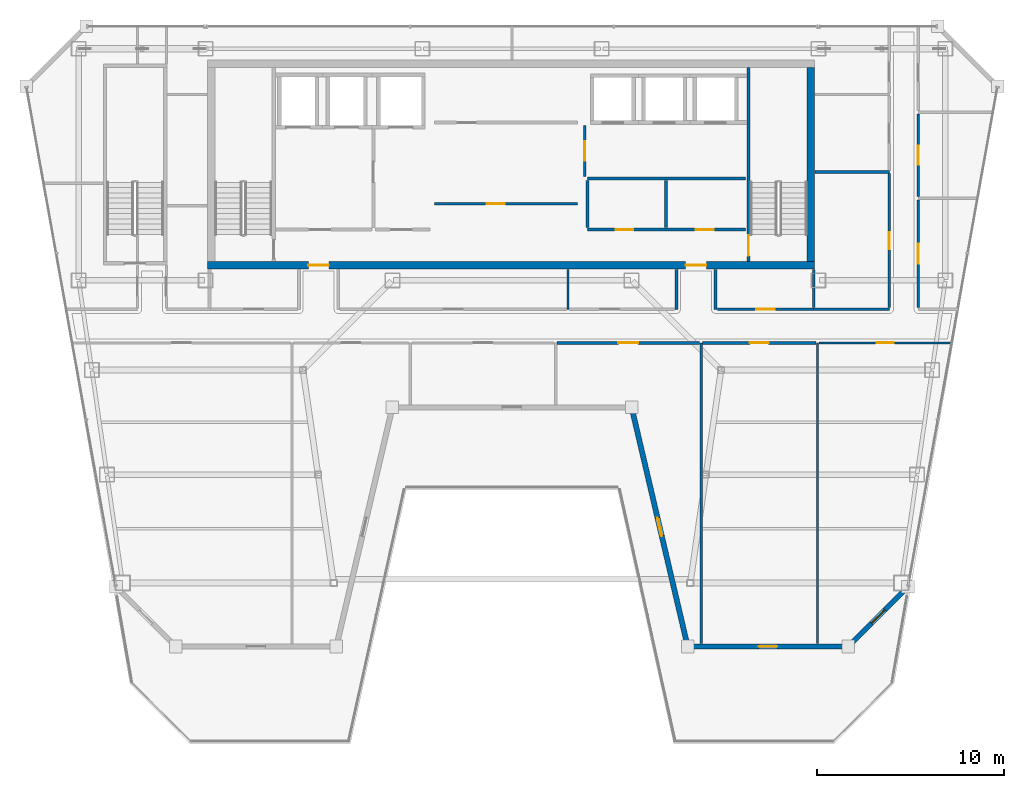
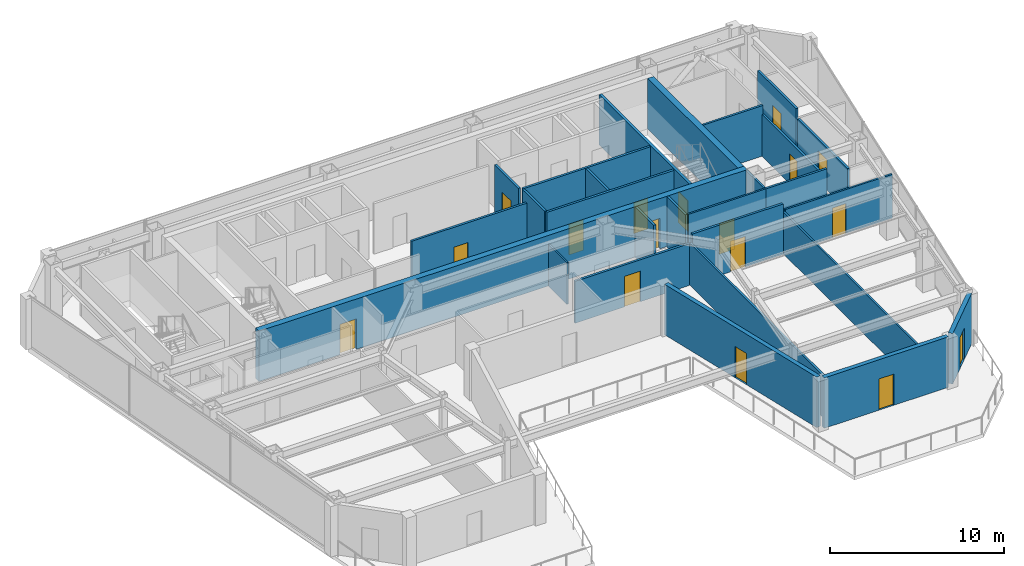
# One storey, part 21 of 28: 27 walls, 17 doors, 17 openings.
"""IFC4 building model written with IfcOpenShell, lengths in metres."""

from ifc_helpers import new_model, si_unit, direction, frame, frame_2d, origin, place, context, subcontext, project, spatial, rectangle, extrude, material, layer, layer_set, type_object, element, fill, save


model = new_model("IFC4")

# Units and contexts
model_context = context("Model", 3, precision=1e-05, world=origin(), true_north=direction((0.0, 1.0)))
body_context = subcontext(model_context, "Body", "Model", "MODEL_VIEW")
ifc_project = project(units=[si_unit("LENGTHUNIT", "METRE"), si_unit("AREAUNIT", "SQUARE_METRE"), si_unit("VOLUMEUNIT", "CUBIC_METRE"), si_unit("PLANEANGLEUNIT", "RADIAN"), si_unit("MASSUNIT", "GRAM", prefix="KILO")], contexts=[model_context])

# Site, building, storey
site_placement = place(None, origin())
site = spatial("IfcSite", under=ifc_project, at=site_placement, CompositionType="ELEMENT")
building_placement = place(site_placement, origin())
building = spatial("IfcBuilding", under=site, at=building_placement, Name="Saevonmaru Cultural Tower", CompositionType="ELEMENT")
storey_placement = place(building_placement, frame((0.0, 0.0, 253.39990234375)))
storey = spatial("IfcBuildingStorey", under=building, at=storey_placement, Name="L59", CompositionType="ELEMENT", Elevation=253.39990234375)

# Wall, openings, doors
ifc_material_1 = material(Name="Concrete C50/60", Category="concrete")
ifc_layer_1 = layer(ifc_material_1, 0.39990234375, Name="Concrete C50/60")
ifc_layer_set_1 = layer_set([ifc_layer_1], Name="Concrete C50/60")
wall_type_1 = type_object("IfcWallType", Name="WL-CORE-400", PredefinedType="SHEAR", material=ifc_layer_set_1)
wall_1_placement = place(storey_placement, frame((13.699951171875, 43.199951171875, 0.0), z_axis=(0.0, 0.0, 1.0), x_axis=(1.0, 0.0, 0.0)))
wall_1 = element("IfcWall", 1, at=wall_1_placement, inside=storey, type_object=wall_type_1, Name="L59 Tower RC core shear wall S", PredefinedType="SHEAR", context=body_context, shape_type="SweptSolid", body=[
    extrude(rectangle(XDim=32.5, YDim=0.39990234375, at=frame_2d((16.25, 0.0))), origin(), (0.0, 0.0, 1.0), 3.550048828125),
])
opening_1_placement = place(wall_1_placement, frame((5.39990234375, 0.0, 0.0)))
opening_1 = element("IfcOpeningElement", 2, at=opening_1_placement, cuts=wall_1, Name="Opening FD-2", PredefinedType="OPENING", context=body_context, shape_type="SweptSolid", body=[
    extrude(rectangle(XDim=1.10009765625, YDim=2.14990234375, at=frame_2d((0.550048828125, 1.074951171875))), frame((0.0, 0.2099609375, 0.0), z_axis=(0.0, -1.0, 0.0), x_axis=(1.0, 0.0, 0.0)), (0.0, 0.0, 1.0), 0.419921875),
])
opening_2_placement = place(wall_1_placement, frame((25.60009765625, 0.0, 0.0)))
opening_2 = element("IfcOpeningElement", 3, at=opening_2_placement, cuts=wall_1, Name="Opening FD-2", PredefinedType="OPENING", context=body_context, shape_type="SweptSolid", body=[
    extrude(rectangle(XDim=1.10009765625, YDim=2.14990234375, at=frame_2d((0.550048828125, 1.074951171875))), frame((0.0, 0.2099609375, 0.0), z_axis=(0.0, -1.0, 0.0), x_axis=(1.0, 0.0, 0.0)), (0.0, 0.0, 1.0), 0.419921875),
])
ifc_material_2 = material(Name="Satin Bronze Anodised Aluminium", Category="aluminium")
door_type_1 = type_object("IfcDoorType", Name="DR-FD60-1100", OperationType="SINGLE_SWING_LEFT", PredefinedType="DOOR", material=ifc_material_2)
door_1_placement = place(opening_1_placement, origin())
door_1 = element("IfcDoor", 4, at=door_1_placement, inside=storey, type_object=door_type_1, Name="L59 Core West Lobby Fire Door", OperationType="SINGLE_SWING_LEFT", OverallHeight=2.14990234375, OverallWidth=1.10009765625, PredefinedType="DOOR", context=body_context, shape_type="SweptSolid", body=[
    extrude(rectangle(XDim=1.10009765625, YDim=2.14990234375, at=frame_2d((0.550048828125, 1.074951171875))), frame((0.0, 0.02490234375, 0.0), z_axis=(0.0, -1.0, 0.0), x_axis=(1.0, 0.0, 0.0)), (0.0, 0.0, 1.0), 0.050048828125),
])
fill(opening_1, door_1)
door_2_placement = place(opening_2_placement, origin())
door_2 = element("IfcDoor", 5, at=door_2_placement, inside=storey, type_object=door_type_1, Name="L59 Core East Lobby Fire Door", OperationType="SINGLE_SWING_LEFT", OverallHeight=2.14990234375, OverallWidth=1.10009765625, PredefinedType="DOOR", context=body_context, shape_type="SweptSolid", body=[
    extrude(rectangle(XDim=1.10009765625, YDim=2.14990234375, at=frame_2d((0.550048828125, 1.074951171875))), frame((0.0, 0.02490234375, 0.0), z_axis=(0.0, -1.0, 0.0), x_axis=(1.0, 0.0, 0.0)), (0.0, 0.0, 1.0), 0.050048828125),
])
fill(opening_2, door_2)

# Wall
wall_2_placement = place(storey_placement, frame((46.0, 43.39990234375, 0.0), z_axis=(0.0, 0.0, 1.0), x_axis=(0.0, 1.0, 0.0)))
element("IfcWall", 6, at=wall_2_placement, inside=storey, type_object=wall_type_1, Name="L59 Tower RC core shear wall E", PredefinedType="SHEAR", context=body_context, shape_type="SweptSolid", body=[
    extrude(rectangle(XDim=10.400146484375, YDim=0.39990234375, at=frame_2d((5.2001953125, 0.0))), origin(), (0.0, 0.0, 1.0), 3.550048828125),
])

# Wall, opening, door
ifc_material_3 = material(Name="Gypsum Fireboard Partition", Category="gypsum")
ifc_layer_2 = layer(ifc_material_3, 0.14990234375, Name="Gypsum Fireboard Partition")
ifc_layer_set_2 = layer_set([ifc_layer_2], Name="Gypsum Fireboard Partition")
wall_type_2 = type_object("IfcWallType", Name="WL-CORE-PART-150", PredefinedType="PARTITIONING", material=ifc_layer_set_2)
wall_3_placement = place(storey_placement, frame((33.89990234375, 47.949951171875, 0.0), z_axis=(0.0, 0.0, 1.0), x_axis=(0.0, 1.0, 0.0)))
wall_3 = element("IfcWall", 7, at=wall_3_placement, inside=storey, type_object=wall_type_2, Name="L59 Zone Lobby Divider", PredefinedType="PARTITIONING", context=body_context, shape_type="SweptSolid", body=[
    extrude(rectangle(XDim=2.75, YDim=0.14990234375, at=frame_2d((1.375, 0.0))), origin(), (0.0, 0.0, 1.0), 3.550048828125),
])
opening_3_placement = place(wall_3_placement, frame((0.85009765625, 0.0, 0.0)))
opening_3 = element("IfcOpeningElement", 8, at=opening_3_placement, cuts=wall_3, Name="Opening ID-1", PredefinedType="OPENING", context=body_context, shape_type="SweptSolid", body=[
    extrude(rectangle(XDim=1.050048828125, YDim=2.14990234375, at=frame_2d((0.52490234375, 1.074951171875))), frame((0.0, 0.0849609375, 0.0), z_axis=(0.0, -1.0, 0.0), x_axis=(1.0, 0.0, 0.0)), (0.0, 0.0, 1.0), 0.169921875),
])
door_type_2 = type_object("IfcDoorType", Name="DR-INT-1050", OperationType="SINGLE_SWING_LEFT", PredefinedType="DOOR", material=ifc_material_2)
door_3_placement = place(opening_3_placement, origin())
door_3 = element("IfcDoor", 9, at=door_3_placement, inside=storey, type_object=door_type_2, Name="L59 Inter-Lobby Link Door", OperationType="SINGLE_SWING_LEFT", OverallHeight=2.14990234375, OverallWidth=1.050048828125, PredefinedType="DOOR", context=body_context, shape_type="SweptSolid", body=[
    extrude(rectangle(XDim=1.050048828125, YDim=2.14990234375, at=frame_2d((0.52490234375, 1.074951171875))), frame((0.0, 0.02490234375, 0.0), z_axis=(0.0, -1.0, 0.0), x_axis=(1.0, 0.0, 0.0)), (0.0, 0.0, 1.0), 0.050048828125),
])
fill(opening_3, door_3)

# Wall, openings, doors
wall_4_placement = place(storey_placement, frame((34.050048828125, 45.1201171875, 0.0), z_axis=(0.0, 0.0, 1.0), x_axis=(1.0, 0.0, 0.0)))
wall_4 = element("IfcWall", 10, at=wall_4_placement, inside=storey, type_object=wall_type_2, Name="L59 Core Plant South Wall", PredefinedType="PARTITIONING", context=body_context, shape_type="SweptSolid", body=[
    extrude(rectangle(XDim=8.449951171875, YDim=0.14990234375, at=frame_2d((4.22509765625, 0.0))), origin(), (0.0, 0.0, 1.0), 3.550048828125),
])
opening_4_placement = place(wall_4_placement, frame((1.5, 0.0, 0.0)))
opening_4 = element("IfcOpeningElement", 11, at=opening_4_placement, cuts=wall_4, Name="Opening FD-4", PredefinedType="OPENING", context=body_context, shape_type="SweptSolid", body=[
    extrude(rectangle(XDim=0.949951171875, YDim=2.14990234375, at=frame_2d((0.47509765625, 1.074951171875))), frame((0.0, 0.0849609375, 0.0), z_axis=(0.0, -1.0, 0.0), x_axis=(1.0, 0.0, 0.0)), (0.0, 0.0, 1.0), 0.169921875),
])
opening_5_placement = place(wall_4_placement, frame((5.800048828125, 0.0, 0.0)))
opening_5 = element("IfcOpeningElement", 12, at=opening_5_placement, cuts=wall_4, Name="Opening FD-4", PredefinedType="OPENING", context=body_context, shape_type="SweptSolid", body=[
    extrude(rectangle(XDim=0.949951171875, YDim=2.14990234375, at=frame_2d((0.47509765625, 1.074951171875))), frame((0.0, 0.0849609375, 0.0), z_axis=(0.0, -1.0, 0.0), x_axis=(1.0, 0.0, 0.0)), (0.0, 0.0, 1.0), 0.169921875),
])
door_type_3 = type_object("IfcDoorType", Name="DR-FD60-950", OperationType="SINGLE_SWING_LEFT", PredefinedType="DOOR", material=ifc_material_2)
door_4_placement = place(opening_4_placement, origin())
door_4 = element("IfcDoor", 13, at=door_4_placement, inside=storey, type_object=door_type_3, Name="L59 Floor AHU Plant Door", OperationType="SINGLE_SWING_LEFT", OverallHeight=2.14990234375, OverallWidth=0.949951171875, PredefinedType="DOOR", context=body_context, shape_type="SweptSolid", body=[
    extrude(rectangle(XDim=0.949951171875, YDim=2.14990234375, at=frame_2d((0.47509765625, 1.074951171875))), frame((0.0, 0.02490234375, 0.0), z_axis=(0.0, -1.0, 0.0), x_axis=(1.0, 0.0, 0.0)), (0.0, 0.0, 1.0), 0.050048828125),
])
fill(opening_4, door_4)
door_5_placement = place(opening_5_placement, origin())
door_5 = element("IfcDoor", 14, at=door_5_placement, inside=storey, type_object=door_type_3, Name="L59 Housekeeping Storage Door", OperationType="SINGLE_SWING_LEFT", OverallHeight=2.14990234375, OverallWidth=0.949951171875, PredefinedType="DOOR", context=body_context, shape_type="SweptSolid", body=[
    extrude(rectangle(XDim=0.949951171875, YDim=2.14990234375, at=frame_2d((0.47509765625, 1.074951171875))), frame((0.0, 0.02490234375, 0.0), z_axis=(0.0, -1.0, 0.0), x_axis=(1.0, 0.0, 0.0)), (0.0, 0.0, 1.0), 0.050048828125),
])
fill(opening_5, door_5)

# Walls
wall_5_placement = place(storey_placement, frame((34.050048828125, 47.85009765625, 0.0), z_axis=(0.0, 0.0, 1.0), x_axis=(1.0, 0.0, 0.0)))
element("IfcWall", 15, at=wall_5_placement, inside=storey, type_object=wall_type_2, Name="L59 Core Plant North Wall", PredefinedType="PARTITIONING", context=body_context, shape_type="SweptSolid", body=[
    extrude(rectangle(XDim=8.449951171875, YDim=0.14990234375, at=frame_2d((4.22509765625, 0.0))), origin(), (0.0, 0.0, 1.0), 3.550048828125),
])
for number, where, z_axis, x_axis, name in (
    (16, (38.25, 45.219970703125, 0.0), (0.0, 0.0, 1.0), (0.0, 1.0, 0.0), "L59 Core Plant Split"),
    (17, (34.050048828125, 45.219970703125, 0.0), (0.0, 0.0, 1.0), (0.0, 1.0, 0.0), "L59 Core Plant West Wall"),
):
    element("IfcWall", number, at=place(storey_placement, frame(where, z_axis=z_axis, x_axis=x_axis)), inside=storey, type_object=wall_type_2, Name=name, PredefinedType="PARTITIONING", context=body_context, shape_type="SweptSolid", body=[
        extrude(rectangle(XDim=2.530029296875, YDim=0.14990234375, at=frame_2d((1.26513671875, 0.0))), origin(), (0.0, 0.0, 1.0), 3.550048828125),
    ])

# Wall, opening, door
wall_6_placement = place(storey_placement, frame((25.85009765625, 46.5, 0.0), z_axis=(0.0, 0.0, 1.0), x_axis=(1.0, 0.0, 0.0)))
wall_6 = element("IfcWall", 18, at=wall_6_placement, inside=storey, type_object=wall_type_2, Name="L59 Reclaimed Mid-Shaft Wall", PredefinedType="PARTITIONING", context=body_context, shape_type="SweptSolid", body=[
    extrude(rectangle(XDim=7.64990234375, YDim=0.14990234375, at=frame_2d((3.824951171875, 0.0))), origin(), (0.0, 0.0, 1.0), 3.550048828125),
])
opening_6_placement = place(wall_6_placement, frame((2.800048828125, 0.0, 0.0)))
opening_6 = element("IfcOpeningElement", 19, at=opening_6_placement, cuts=wall_6, Name="Opening FD-4", PredefinedType="OPENING", context=body_context, shape_type="SweptSolid", body=[
    extrude(rectangle(XDim=0.949951171875, YDim=2.14990234375, at=frame_2d((0.47509765625, 1.074951171875))), frame((0.0, 0.0849609375, 0.0), z_axis=(0.0, -1.0, 0.0), x_axis=(1.0, 0.0, 0.0)), (0.0, 0.0, 1.0), 0.169921875),
])
door_6_placement = place(opening_6_placement, origin())
door_6 = element("IfcDoor", 20, at=door_6_placement, inside=storey, type_object=door_type_3, Name="L59 Reclaimed Manuscript Storage Door", OperationType="SINGLE_SWING_LEFT", OverallHeight=2.14990234375, OverallWidth=0.949951171875, PredefinedType="DOOR", context=body_context, shape_type="SweptSolid", body=[
    extrude(rectangle(XDim=0.949951171875, YDim=2.14990234375, at=frame_2d((0.47509765625, 1.074951171875))), frame((0.0, 0.02490234375, 0.0), z_axis=(0.0, -1.0, 0.0), x_axis=(1.0, 0.0, 0.0)), (0.0, 0.0, 1.0), 0.050048828125),
])
fill(opening_6, door_6)

ifc_material_4 = material(Name="Granite-Clad Precast Concrete C40/50", Category="masonry")
ifc_layer_3 = layer(ifc_material_4, 0.280029296875, Name="Granite-Clad Precast Concrete C40/50")
ifc_layer_set_3 = layer_set([ifc_layer_3], Name="Granite-Clad Precast Concrete C40/50")
wall_type_3 = type_object("IfcWallType", Name="WL-EXT-SPANDREL-280", PredefinedType="STANDARD", material=ifc_layer_set_3)
wall_7_placement = place(storey_placement, frame((36.44091796875, 35.444091796875, 0.0), z_axis=(0.0, 0.0, 1.0), x_axis=(0.22819583345, -0.973615253371, 0.0)))
wall_7 = element("IfcWall", 21, at=wall_7_placement, inside=storey, type_object=wall_type_3, Name="L59 Setback Terrace Portal Wall E5", PredefinedType="STANDARD", context=body_context, shape_type="SweptSolid", body=[
    extrude(rectangle(XDim=12.82666015625, YDim=0.280029296875, at=frame_2d((6.413330078125, 0.0))), origin(), (0.0, 0.0, 1.0), 3.550048828125),
])
opening_7_placement = place(wall_7_placement, frame((5.9130859375, 0.0, 0.0)))
opening_7 = element("IfcOpeningElement", 22, at=opening_7_placement, cuts=wall_7, Name="Opening TD-2", PredefinedType="OPENING", context=body_context, shape_type="SweptSolid", body=[
    extrude(rectangle(XDim=1.0, YDim=2.199951171875, at=frame_2d((0.5, 1.10009765625))), frame((0.0, 0.14990234375, 0.0), z_axis=(0.0, -1.0, 0.0), x_axis=(1.0, 0.0, 0.0)), (0.0, 0.0, 1.0), 0.300048828125),
])
door_type_4 = type_object("IfcDoorType", Name="DR-TERR-1000", OperationType="SINGLE_SWING_RIGHT", PredefinedType="DOOR", material=ifc_material_2)
door_7_placement = place(opening_7_placement, origin())
door_7 = element("IfcDoor", 23, at=door_7_placement, inside=storey, type_object=door_type_4, Name="L59 Sawtooth Roof Terrace Door E5", OperationType="SINGLE_SWING_RIGHT", OverallHeight=2.199951171875, OverallWidth=1.0, PredefinedType="DOOR", context=body_context, shape_type="SweptSolid", body=[
    extrude(rectangle(XDim=1.0, YDim=2.199951171875, at=frame_2d((0.5, 1.10009765625))), frame((0.0, 0.02490234375, 0.0), z_axis=(0.0, -1.0, 0.0), x_axis=(1.0, 0.0, 0.0)), (0.0, 0.0, 1.0), 0.050048828125),
])
fill(opening_7, door_7)

wall_8_placement = place(storey_placement, frame((39.564453125, 22.800048828125, 0.0), z_axis=(0.0, 0.0, 1.0), x_axis=(1.0, 0.0, 0.0)))
wall_8 = element("IfcWall", 24, at=wall_8_placement, inside=storey, type_object=wall_type_3, Name="L59 Setback Terrace Portal Wall E6", PredefinedType="STANDARD", context=body_context, shape_type="SweptSolid", body=[
    extrude(rectangle(XDim=8.280029296875, YDim=0.280029296875, at=frame_2d((4.14013671875, 0.0))), origin(), (0.0, 0.0, 1.0), 3.550048828125),
])
opening_8_placement = place(wall_8_placement, frame((3.639892578125, 0.0, 0.0)))
opening_8 = element("IfcOpeningElement", 25, at=opening_8_placement, cuts=wall_8, Name="Opening TD-2", PredefinedType="OPENING", context=body_context, shape_type="SweptSolid", body=[
    extrude(rectangle(XDim=1.0, YDim=2.199951171875, at=frame_2d((0.5, 1.10009765625))), frame((0.0, 0.14990234375, 0.0), z_axis=(0.0, -1.0, 0.0), x_axis=(1.0, 0.0, 0.0)), (0.0, 0.0, 1.0), 0.300048828125),
])
door_8_placement = place(opening_8_placement, origin())
door_8 = element("IfcDoor", 26, at=door_8_placement, inside=storey, type_object=door_type_4, Name="L59 Sawtooth Roof Terrace Door E6", OperationType="SINGLE_SWING_LEFT", OverallHeight=2.199951171875, OverallWidth=1.0, PredefinedType="DOOR", context=body_context, shape_type="SweptSolid", body=[
    extrude(rectangle(XDim=1.0, YDim=2.199951171875, at=frame_2d((0.5, 1.10009765625))), frame((0.0, 0.02490234375, 0.0), z_axis=(0.0, -1.0, 0.0), x_axis=(1.0, 0.0, 0.0)), (0.0, 0.0, 1.0), 0.050048828125),
])
fill(opening_8, door_8)

wall_9_placement = place(storey_placement, frame((48.117431640625, 22.9130859375, 0.0), z_axis=(0.0, 0.0, 1.0), x_axis=(0.707106781187, 0.707106781187, 0.0)))
wall_9 = element("IfcWall", 27, at=wall_9_placement, inside=storey, type_object=wall_type_3, Name="L59 Setback Terrace Portal Wall E7", PredefinedType="STANDARD", context=body_context, shape_type="SweptSolid", body=[
    extrude(rectangle(XDim=4.205810546875, YDim=0.280029296875, at=frame_2d((2.10302734375, 0.0))), origin(), (0.0, 0.0, 1.0), 3.550048828125),
])
opening_9_placement = place(wall_9_placement, frame((1.60302734375, 0.0, 0.0)))
opening_9 = element("IfcOpeningElement", 28, at=opening_9_placement, cuts=wall_9, Name="Opening TD-2", PredefinedType="OPENING", context=body_context, shape_type="SweptSolid", body=[
    extrude(rectangle(XDim=1.0, YDim=2.199951171875, at=frame_2d((0.5, 1.10009765625))), frame((0.0, 0.14990234375, 0.0), z_axis=(0.0, -1.0, 0.0), x_axis=(1.0, 0.0, 0.0)), (0.0, 0.0, 1.0), 0.300048828125),
])
door_9_placement = place(opening_9_placement, origin())
door_9 = element("IfcDoor", 29, at=door_9_placement, inside=storey, type_object=door_type_4, Name="L59 Sawtooth Roof Terrace Door E7", OperationType="SINGLE_SWING_RIGHT", OverallHeight=2.199951171875, OverallWidth=1.0, PredefinedType="DOOR", context=body_context, shape_type="SweptSolid", body=[
    extrude(rectangle(XDim=1.0, YDim=2.199951171875, at=frame_2d((0.5, 1.10009765625))), frame((0.0, 0.02490234375, 0.0), z_axis=(0.0, -1.0, 0.0), x_axis=(1.0, 0.0, 0.0)), (0.0, 0.0, 1.0), 0.050048828125),
])
fill(opening_9, door_9)

ifc_layer_4 = layer(ifc_material_3, 0.14990234375, Name="Gypsum Fireboard Partition")
ifc_layer_set_4 = layer_set([ifc_layer_4], Name="Gypsum Fireboard Partition")
wall_type_4 = type_object("IfcWallType", Name="WL-PART-FIRE-150", PredefinedType="PARTITIONING", material=ifc_layer_set_4)
wall_10_placement = place(storey_placement, frame((51.75, 40.9375, 0.0), z_axis=(0.0, 0.0, 1.0), x_axis=(0.0, 1.0, 0.0)))
wall_10 = element("IfcWall", 30, at=wall_10_placement, inside=storey, type_object=wall_type_4, Name="L59 Skyline Exhibition Gallery Corridor Wall", PredefinedType="PARTITIONING", context=body_context, shape_type="SweptSolid", body=[
    extrude(rectangle(XDim=5.77490234375, YDim=0.14990234375, at=frame_2d((2.887451171875, 0.0))), origin(), (0.0, 0.0, 1.0), 2.947021484375),
])
opening_10_placement = place(wall_10_placement, frame((2.362060546875, 0.0, 0.0)))
opening_10 = element("IfcOpeningElement", 31, at=opening_10_placement, cuts=wall_10, Name="Opening ID-1", PredefinedType="OPENING", context=body_context, shape_type="SweptSolid", body=[
    extrude(rectangle(XDim=1.050048828125, YDim=2.14990234375, at=frame_2d((0.52490234375, 1.074951171875))), frame((0.0, 0.0849609375, 0.0), z_axis=(0.0, -1.0, 0.0), x_axis=(1.0, 0.0, 0.0)), (0.0, 0.0, 1.0), 0.169921875),
])
door_10_placement = place(opening_10_placement, origin())
door_10 = element("IfcDoor", 32, at=door_10_placement, inside=storey, type_object=door_type_2, Name="L59 Skyline Exhibition Gallery Door", OperationType="SINGLE_SWING_LEFT", OverallHeight=2.14990234375, OverallWidth=1.050048828125, PredefinedType="DOOR", context=body_context, shape_type="SweptSolid", body=[
    extrude(rectangle(XDim=1.050048828125, YDim=2.14990234375, at=frame_2d((0.52490234375, 1.074951171875))), frame((0.0, 0.02490234375, 0.0), z_axis=(0.0, -1.0, 0.0), x_axis=(1.0, 0.0, 0.0)), (0.0, 0.0, 1.0), 0.050048828125),
])
fill(opening_10, door_10)

wall_11_placement = place(storey_placement, frame((51.75, 46.887451171875, 0.0), z_axis=(0.0, 0.0, 1.0), x_axis=(0.0, 1.0, 0.0)))
wall_11 = element("IfcWall", 33, at=wall_11_placement, inside=storey, type_object=wall_type_4, Name="L59 Acoustic Chamber Auditorium Corridor Wall", PredefinedType="PARTITIONING", context=body_context, shape_type="SweptSolid", body=[
    extrude(rectangle(XDim=4.425048828125, YDim=0.14990234375, at=frame_2d((2.21240234375, 0.0))), origin(), (0.0, 0.0, 1.0), 3.550048828125),
])
opening_11_placement = place(wall_11_placement, frame((1.7119140625, 0.0, 0.0)))
opening_11 = element("IfcOpeningElement", 34, at=opening_11_placement, cuts=wall_11, Name="Opening ID-1B", PredefinedType="OPENING", context=body_context, shape_type="SweptSolid", body=[
    extrude(rectangle(XDim=1.0, YDim=2.14990234375, at=frame_2d((0.5, 1.074951171875))), frame((0.0, 0.0849609375, 0.0), z_axis=(0.0, -1.0, 0.0), x_axis=(1.0, 0.0, 0.0)), (0.0, 0.0, 1.0), 0.169921875),
])
ifc_material_5 = material(Name="Acoustic Stained Oak Timber", Category="wood")
door_type_5 = type_object("IfcDoorType", Name="DR-INT-1000", OperationType="SINGLE_SWING_RIGHT", PredefinedType="DOOR", material=ifc_material_5)
door_11_placement = place(opening_11_placement, origin())
door_11 = element("IfcDoor", 35, at=door_11_placement, inside=storey, type_object=door_type_5, Name="L59 Acoustic Chamber Auditorium Door", OperationType="SINGLE_SWING_RIGHT", OverallHeight=2.14990234375, OverallWidth=1.0, PredefinedType="DOOR", context=body_context, shape_type="SweptSolid", body=[
    extrude(rectangle(XDim=1.0, YDim=2.14990234375, at=frame_2d((0.5, 1.074951171875))), frame((0.0, 0.02490234375, 0.0), z_axis=(0.0, -1.0, 0.0), x_axis=(1.0, 0.0, 0.0)), (0.0, 0.0, 1.0), 0.050048828125),
])
fill(opening_11, door_11)

# Walls
for number, where, z_axis, x_axis, name in (
    (36, (38.800048828125, 40.85009765625, 0.0), (0.0, 0.0, 1.0), (0.0, 1.0, 0.0), "L59 Core Portal Side Wall E1"),
    (37, (40.89990234375, 40.85009765625, 0.0), (0.0, 0.0, 1.0), (0.0, 1.0, 0.0), "L59 Core Portal Side Wall E2"),
):
    element("IfcWall", number, at=place(storey_placement, frame(where, z_axis=z_axis, x_axis=x_axis)), inside=storey, type_object=wall_type_4, Name=name, PredefinedType="PARTITIONING", context=body_context, shape_type="SweptSolid", body=[
        extrude(rectangle(XDim=2.1298828125, YDim=0.14990234375, at=frame_2d((1.06494140625, 0.0))), origin(), (0.0, 0.0, 1.0), 3.550048828125),
    ])

# Wall, opening, door
wall_12_placement = place(storey_placement, frame((32.419921875, 39.050048828125, 0.0), z_axis=(0.0, 0.0, 1.0), x_axis=(1.0, 0.0, 0.0)))
wall_12 = element("IfcWall", 38, at=wall_12_placement, inside=storey, type_object=wall_type_4, Name="L59 Skyline Exhibition Gallery Corridor Wall", PredefinedType="PARTITIONING", context=body_context, shape_type="SweptSolid", body=[
    extrude(rectangle(XDim=7.612548828125, YDim=0.14990234375, at=frame_2d((3.80615234375, 0.0))), origin(), (0.0, 0.0, 1.0), 2.947021484375),
])
opening_12_placement = place(wall_12_placement, frame((3.281005859375, 0.0, 0.0)))
opening_12 = element("IfcOpeningElement", 39, at=opening_12_placement, cuts=wall_12, Name="Opening ID-1", PredefinedType="OPENING", context=body_context, shape_type="SweptSolid", body=[
    extrude(rectangle(XDim=1.050048828125, YDim=2.14990234375, at=frame_2d((0.52490234375, 1.074951171875))), frame((0.0, 0.0849609375, 0.0), z_axis=(0.0, -1.0, 0.0), x_axis=(1.0, 0.0, 0.0)), (0.0, 0.0, 1.0), 0.169921875),
])
door_12_placement = place(opening_12_placement, origin())
door_12 = element("IfcDoor", 40, at=door_12_placement, inside=storey, type_object=door_type_2, Name="L59 Skyline Exhibition Gallery Door", OperationType="SINGLE_SWING_LEFT", OverallHeight=2.14990234375, OverallWidth=1.050048828125, PredefinedType="DOOR", context=body_context, shape_type="SweptSolid", body=[
    extrude(rectangle(XDim=1.050048828125, YDim=2.14990234375, at=frame_2d((0.52490234375, 1.074951171875))), frame((0.0, 0.02490234375, 0.0), z_axis=(0.0, -1.0, 0.0), x_axis=(1.0, 0.0, 0.0)), (0.0, 0.0, 1.0), 0.050048828125),
])
fill(opening_12, door_12)

wall_13_placement = place(storey_placement, frame((40.20751953125, 39.050048828125, 0.0), z_axis=(0.0, 0.0, 1.0), x_axis=(1.0, 0.0, 0.0)))
wall_13 = element("IfcWall", 41, at=wall_13_placement, inside=storey, type_object=wall_type_4, Name="L59 Acoustic Chamber Auditorium Corridor Wall", PredefinedType="PARTITIONING", context=body_context, shape_type="SweptSolid", body=[
    extrude(rectangle(XDim=6.0625, YDim=0.14990234375, at=frame_2d((3.03125, 0.0))), origin(), (0.0, 0.0, 1.0), 3.550048828125),
])
opening_13_placement = place(wall_13_placement, frame((2.531005859375, 0.0, 0.0)))
opening_13 = element("IfcOpeningElement", 42, at=opening_13_placement, cuts=wall_13, Name="Opening ID-1B", PredefinedType="OPENING", context=body_context, shape_type="SweptSolid", body=[
    extrude(rectangle(XDim=1.0, YDim=2.14990234375, at=frame_2d((0.5, 1.074951171875))), frame((0.0, 0.0849609375, 0.0), z_axis=(0.0, -1.0, 0.0), x_axis=(1.0, 0.0, 0.0)), (0.0, 0.0, 1.0), 0.169921875),
])
door_13_placement = place(opening_13_placement, origin())
door_13 = element("IfcDoor", 43, at=door_13_placement, inside=storey, type_object=door_type_5, Name="L59 Acoustic Chamber Auditorium Door", OperationType="SINGLE_SWING_RIGHT", OverallHeight=2.14990234375, OverallWidth=1.0, PredefinedType="DOOR", context=body_context, shape_type="SweptSolid", body=[
    extrude(rectangle(XDim=1.0, YDim=2.14990234375, at=frame_2d((0.5, 1.074951171875))), frame((0.0, 0.02490234375, 0.0), z_axis=(0.0, -1.0, 0.0), x_axis=(1.0, 0.0, 0.0)), (0.0, 0.0, 1.0), 0.050048828125),
])
fill(opening_13, door_13)

# Wall
ifc_layer_5 = layer(ifc_material_3, 0.1201171875, Name="Gypsum Fireboard Partition")
ifc_layer_set_5 = layer_set([ifc_layer_5], Name="Gypsum Fireboard Partition")
wall_type_5 = type_object("IfcWallType", Name="WL-PART-GYP-120", PredefinedType="PARTITIONING", material=ifc_layer_set_5)
wall_14_placement = place(storey_placement, frame((33.0, 40.85009765625, 0.0), z_axis=(0.0, 0.0, 1.0), x_axis=(0.0, 1.0, 0.0)))
element("IfcWall", 44, at=wall_14_placement, inside=storey, type_object=wall_type_5, Name="L59 Spine Alcove Split", PredefinedType="PARTITIONING", context=body_context, shape_type="SweptSolid", body=[
    extrude(rectangle(XDim=2.1298828125, YDim=0.1201171875, at=frame_2d((1.06494140625, 0.0))), origin(), (0.0, 0.0, 1.0), 2.947021484375),
])

# Wall, opening, door
wall_15_placement = place(storey_placement, frame((40.9951171875, 40.85009765625, 0.0), z_axis=(0.0, 0.0, 1.0), x_axis=(1.0, 0.0, 0.0)))
wall_15 = element("IfcWall", 45, at=wall_15_placement, inside=storey, type_object=wall_type_5, Name="L59 Terrace Overlook Cafe Corridor Wall", PredefinedType="PARTITIONING", context=body_context, shape_type="SweptSolid", body=[
    extrude(rectangle(XDim=5.15478515625, YDim=0.1201171875, at=frame_2d((2.577392578125, 0.0))), origin(), (0.0, 0.0, 1.0), 3.550048828125),
])
opening_14_placement = place(wall_15_placement, frame((2.077880859375, 0.0, 0.0)))
opening_14 = element("IfcOpeningElement", 46, at=opening_14_placement, cuts=wall_15, Name="Opening ID-1B", PredefinedType="OPENING", context=body_context, shape_type="SweptSolid", body=[
    extrude(rectangle(XDim=1.0, YDim=2.14990234375, at=frame_2d((0.5, 1.074951171875))), frame((0.0, 0.070068359375, 0.0), z_axis=(0.0, -1.0, 0.0), x_axis=(1.0, 0.0, 0.0)), (0.0, 0.0, 1.0), 0.14013671875),
])
door_14_placement = place(opening_14_placement, origin())
door_14 = element("IfcDoor", 47, at=door_14_placement, inside=storey, type_object=door_type_5, Name="L59 Terrace Overlook Cafe Door", OperationType="SINGLE_SWING_LEFT", OverallHeight=2.14990234375, OverallWidth=1.0, PredefinedType="DOOR", context=body_context, shape_type="SweptSolid", body=[
    extrude(rectangle(XDim=1.0, YDim=2.14990234375, at=frame_2d((0.5, 1.074951171875))), frame((0.0, 0.02490234375, 0.0), z_axis=(0.0, -1.0, 0.0), x_axis=(1.0, 0.0, 0.0)), (0.0, 0.0, 1.0), 0.050048828125),
])
fill(opening_14, door_14)

# Wall
wall_16_placement = place(storey_placement, frame((46.35009765625, 22.9599609375, 0.0), z_axis=(0.0, 0.0, 1.0), x_axis=(0.0, 1.0, 0.0)))
element("IfcWall", 48, at=wall_16_placement, inside=storey, type_object=wall_type_5, Name="L59 Observatory Bay Divider 5", PredefinedType="PARTITIONING", context=body_context, shape_type="SweptSolid", body=[
    extrude(rectangle(XDim=16.090087890625, YDim=0.1201171875, at=frame_2d((8.044921875, 0.0))), origin(), (0.0, 0.0, 1.0), 2.947021484375),
])

# Wall, opening, door
wall_17_placement = place(storey_placement, frame((46.429931640625, 39.050048828125, 0.0), z_axis=(0.0, 0.0, 1.0), x_axis=(1.0, 0.0, 0.0)))
wall_17 = element("IfcWall", 49, at=wall_17_placement, inside=storey, type_object=wall_type_5, Name="L59 Visiting Fellows Office Corridor Wall", PredefinedType="PARTITIONING", context=body_context, shape_type="SweptSolid", body=[
    extrude(rectangle(XDim=7.1044921875, YDim=0.1201171875, at=frame_2d((3.55224609375, 0.0))), origin(), (0.0, 0.0, 1.0), 3.085205078125),
])
opening_15_placement = place(wall_17_placement, frame((3.10205078125, 0.0, 0.0)))
opening_15 = element("IfcOpeningElement", 50, at=opening_15_placement, cuts=wall_17, Name="Opening ID-2", PredefinedType="OPENING", context=body_context, shape_type="SweptSolid", body=[
    extrude(rectangle(XDim=0.89990234375, YDim=2.10009765625, at=frame_2d((0.449951171875, 1.050048828125))), frame((0.0, 0.070068359375, 0.0), z_axis=(0.0, -1.0, 0.0), x_axis=(1.0, 0.0, 0.0)), (0.0, 0.0, 1.0), 0.14013671875),
])
door_type_6 = type_object("IfcDoorType", Name="DR-INT-900", OperationType="SINGLE_SWING_RIGHT", PredefinedType="DOOR", material=ifc_material_5)
door_15_placement = place(opening_15_placement, origin())
door_15 = element("IfcDoor", 51, at=door_15_placement, inside=storey, type_object=door_type_6, Name="L59 Visiting Fellows Office Door", OperationType="SINGLE_SWING_LEFT", OverallHeight=2.10009765625, OverallWidth=0.89990234375, PredefinedType="DOOR", context=body_context, shape_type="SweptSolid", body=[
    extrude(rectangle(XDim=0.89990234375, YDim=2.10009765625, at=frame_2d((0.449951171875, 1.050048828125))), frame((0.0, 0.02490234375, 0.0), z_axis=(0.0, -1.0, 0.0), x_axis=(1.0, 0.0, 0.0)), (0.0, 0.0, 1.0), 0.050048828125),
])
fill(opening_15, door_15)

# Walls
ifc_layer_6 = layer(ifc_material_3, 0.135009765625, Name="Gypsum Fireboard Partition")
ifc_layer_set_6 = layer_set([ifc_layer_6], Name="Gypsum Fireboard Partition")
wall_type_6 = type_object("IfcWallType", Name="WL-PART-GYP-135", PredefinedType="PARTITIONING", material=ifc_layer_set_6)
wall_18_placement = place(storey_placement, frame((40.1201171875, 22.9599609375, 0.0), z_axis=(0.0, 0.0, 1.0), x_axis=(0.0, 1.0, 0.0)))
element("IfcWall", 52, at=wall_18_placement, inside=storey, type_object=wall_type_6, Name="L59 Observatory Bay Divider 4", PredefinedType="PARTITIONING", context=body_context, shape_type="SweptSolid", body=[
    extrude(rectangle(XDim=16.090087890625, YDim=0.135009765625, at=frame_2d((8.044921875, 0.0))), origin(), (0.0, 0.0, 1.0), 2.947021484375),
])
ifc_layer_7 = layer(ifc_material_3, 0.139892578125, Name="Gypsum Fireboard Partition")
ifc_layer_set_7 = layer_set([ifc_layer_7], Name="Gypsum Fireboard Partition")
wall_type_7 = type_object("IfcWallType", Name="WL-PART-WET-140", PredefinedType="PARTITIONING", material=ifc_layer_set_7)
wall_19_placement = place(storey_placement, frame((46.14990234375, 40.85009765625, 0.0), z_axis=(0.0, 0.0, 1.0), x_axis=(1.0, 0.0, 0.0)))
element("IfcWall", 53, at=wall_19_placement, inside=storey, type_object=wall_type_7, Name="L59 Washroom South Wall", PredefinedType="PARTITIONING", context=body_context, shape_type="SweptSolid", body=[
    extrude(rectangle(XDim=4.050048828125, YDim=0.139892578125, at=frame_2d((2.02490234375, 0.0))), origin(), (0.0, 0.0, 1.0), 3.550048828125),
])
wall_20_placement = place(storey_placement, frame((46.14990234375, 40.93994140625, 0.0), z_axis=(0.0, 0.0, 1.0), x_axis=(0.0, 1.0, 0.0)))
element("IfcWall", 54, at=wall_20_placement, inside=storey, type_object=wall_type_7, Name="L59 Washroom South-West Return", PredefinedType="PARTITIONING", context=body_context, shape_type="SweptSolid", body=[
    extrude(rectangle(XDim=2.0400390625, YDim=0.139892578125, at=frame_2d((1.02001953125, 0.0))), origin(), (0.0, 0.0, 1.0), 3.550048828125),
])
wall_21_placement = place(storey_placement, frame((46.219970703125, 48.199951171875, 0.0), z_axis=(0.0, 0.0, 1.0), x_axis=(1.0, 0.0, 0.0)))
element("IfcWall", 55, at=wall_21_placement, inside=storey, type_object=wall_type_7, Name="L59 Washroom North Wall", PredefinedType="PARTITIONING", context=body_context, shape_type="SweptSolid", body=[
    extrude(rectangle(XDim=3.97998046875, YDim=0.139892578125, at=frame_2d((1.989990234375, 0.0))), origin(), (0.0, 0.0, 1.0), 3.550048828125),
])

# Wall, opening, door
wall_22_placement = place(storey_placement, frame((50.199951171875, 40.93994140625, 0.0), z_axis=(0.0, 0.0, 1.0), x_axis=(0.0, 1.0, 0.0)))
wall_22 = element("IfcWall", 56, at=wall_22_placement, inside=storey, type_object=wall_type_7, Name="L59 Washroom Corridor Wall", PredefinedType="PARTITIONING", context=body_context, shape_type="SweptSolid", body=[
    extrude(rectangle(XDim=7.170166015625, YDim=0.139892578125, at=frame_2d((3.5849609375, 0.0))), origin(), (0.0, 0.0, 1.0), 2.947021484375),
])
opening_16_placement = place(wall_22_placement, frame((3.135009765625, 0.0, 0.0)))
opening_16 = element("IfcOpeningElement", 57, at=opening_16_placement, cuts=wall_22, Name="Opening ID-2", PredefinedType="OPENING", context=body_context, shape_type="SweptSolid", body=[
    extrude(rectangle(XDim=0.89990234375, YDim=2.10009765625, at=frame_2d((0.449951171875, 1.050048828125))), frame((0.0, 0.080078125, 0.0), z_axis=(0.0, -1.0, 0.0), x_axis=(1.0, 0.0, 0.0)), (0.0, 0.0, 1.0), 0.159912109375),
])
door_16_placement = place(opening_16_placement, origin())
door_16 = element("IfcDoor", 58, at=door_16_placement, inside=storey, type_object=door_type_6, Name="L59 Public Accessible Washrooms Door", OperationType="SINGLE_SWING_RIGHT", OverallHeight=2.10009765625, OverallWidth=0.89990234375, PredefinedType="DOOR", context=body_context, shape_type="SweptSolid", body=[
    extrude(rectangle(XDim=0.89990234375, YDim=2.10009765625, at=frame_2d((0.449951171875, 1.050048828125))), frame((0.0, 0.02490234375, 0.0), z_axis=(0.0, -1.0, 0.0), x_axis=(1.0, 0.0, 0.0)), (0.0, 0.0, 1.0), 0.050048828125),
])
fill(opening_16, door_16)

ifc_material_6 = material(Name="Concrete C40/50", Category="concrete")
ifc_layer_8 = layer(ifc_material_6, 0.179931640625, Name="Concrete C40/50")
ifc_layer_set_8 = layer_set([ifc_layer_8], Name="Concrete C40/50")
wall_type_8 = type_object("IfcWallType", Name="WL-STSHAFT-180", PredefinedType="SHEAR", material=ifc_layer_set_8)
wall_23_placement = place(storey_placement, frame((42.659912109375, 53.800048828125, 0.0), z_axis=(0.0, 0.0, 1.0), x_axis=(0.0, -1.0, 0.0)))
wall_23 = element("IfcWall", 59, at=wall_23_placement, inside=storey, type_object=wall_type_8, Name="L59 Stair ST-2 Structural Shaft Wall 1", PredefinedType="SHEAR", context=body_context, shape_type="SweptSolid", body=[
    extrude(rectangle(XDim=10.400146484375, YDim=0.179931640625, at=frame_2d((5.2001953125, 0.0))), origin(), (0.0, 0.0, 1.0), 3.550048828125),
])
opening_17_placement = place(wall_23_placement, frame((8.989990234375, 0.0, 0.0)))
opening_17 = element("IfcOpeningElement", 60, at=opening_17_placement, cuts=wall_23, Name="Opening FD-2", PredefinedType="OPENING", context=body_context, shape_type="SweptSolid", body=[
    extrude(rectangle(XDim=1.10009765625, YDim=2.14990234375, at=frame_2d((0.550048828125, 1.074951171875))), frame((0.0, 0.10009765625, 0.0), z_axis=(0.0, -1.0, 0.0), x_axis=(1.0, 0.0, 0.0)), (0.0, 0.0, 1.0), 0.199951171875),
])
door_17_placement = place(opening_17_placement, origin())
door_17 = element("IfcDoor", 61, at=door_17_placement, inside=storey, type_object=door_type_1, Name="L59 Protected Stair ST-2 Fire Door", OperationType="SINGLE_SWING_LEFT", OverallHeight=2.14990234375, OverallWidth=1.10009765625, PredefinedType="DOOR", context=body_context, shape_type="SweptSolid", body=[
    extrude(rectangle(XDim=1.10009765625, YDim=2.14990234375, at=frame_2d((0.550048828125, 1.074951171875))), frame((0.0, 0.02490234375, 0.0), z_axis=(0.0, -1.0, 0.0), x_axis=(1.0, 0.0, 0.0)), (0.0, 0.0, 1.0), 0.050048828125),
])
fill(opening_17, door_17)

save(model, "model.ifc")
